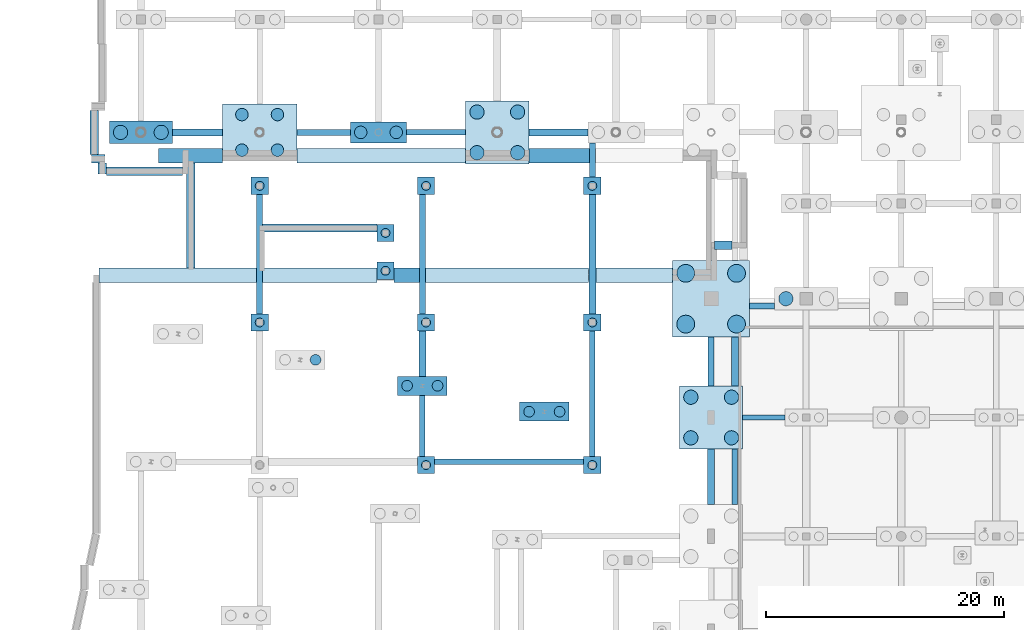
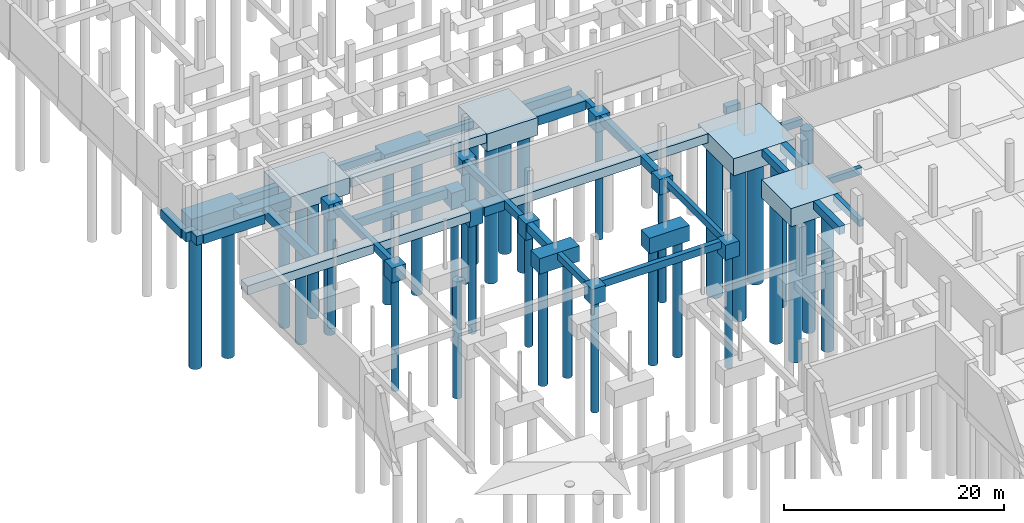
# One storey, part 5 of 65: 51 footings, 36 piles.
"""IFC4 building model written with IfcOpenShell, lengths in metres."""

from ifc_helpers import new_model, si_unit, direction, frame, origin, origin_2d, place, context, subcontext, project, spatial, rectangle, circle, extrude, material, material_profile, profile_set, type_object, element, save


model = new_model("IFC4")

# Units and contexts
model_context = context("Model", 3, precision=1e-05, world=origin(), true_north=direction((0.0, 1.0)))
body_context = subcontext(model_context, "Body", "Model", "MODEL_VIEW")
ifc_project = project(units=[si_unit("LENGTHUNIT", "METRE"), si_unit("AREAUNIT", "SQUARE_METRE"), si_unit("VOLUMEUNIT", "CUBIC_METRE"), si_unit("PLANEANGLEUNIT", "RADIAN"), si_unit("MASSUNIT", "GRAM", prefix="KILO")], contexts=[model_context])

# Site, building, storey
site_placement = place(None, origin())
site = spatial("IfcSite", under=ifc_project, at=site_placement, CompositionType="ELEMENT")
building_placement = place(site_placement, origin())
building = spatial("IfcBuilding", under=site, at=building_placement, Name="Khorjan Park Terminus", CompositionType="ELEMENT")
storey_placement = place(building_placement, frame((0.0, 0.0, -5.4)))
storey = spatial("IfcBuildingStorey", under=building, at=storey_placement, Name="B1", CompositionType="ELEMENT", Elevation=-5.4)

# Footings
ifc_material = material(Name="Concrete C40/50", Category="concrete")
ifc_material_profile_1 = material_profile(ifc_material, rectangle(XDim=0.45, YDim=0.75, at=origin_2d()), Name="RC 450x750")
ifc_profile_set_1 = profile_set([ifc_material_profile_1], Name="Concrete C40/50")
footing_type_1 = type_object("IfcFootingType", Name="FTG-GB-450x750", PredefinedType="FOOTING_BEAM", material=ifc_profile_set_1)
footing_1_placement = place(storey_placement, frame((50.66, 78.0, -0.375), z_axis=(1.0, 0.0, 0.0), x_axis=(0.0, 1.0, 0.0)))
element("IfcFooting", 1, at=footing_1_placement, inside=storey, type_object=footing_type_1, Name="Reinforced concrete ground tie beam FB-07 (68)", PredefinedType="FOOTING_BEAM", context=body_context, shape_type="SweptSolid", body=[
    extrude(rectangle(XDim=0.45, YDim=0.75, at=origin_2d()), origin(), (0.0, 0.0, 1.0), 3.546),
])
footing_2_placement = place(storey_placement, frame((22.372, 102.0, -0.375), z_axis=(1.0, 0.0, 0.0), x_axis=(0.0, 1.0, 0.0)))
element("IfcFooting", 2, at=footing_2_placement, inside=storey, type_object=footing_type_1, Name="Reinforced concrete ground tie beam FB-07 (92)", PredefinedType="FOOTING_BEAM", context=body_context, shape_type="SweptSolid", body=[
    extrude(rectangle(XDim=0.45, YDim=0.75, at=origin_2d()), origin(), (0.0, 0.0, 1.0), 4.968),
])
footing_3_placement = place(storey_placement, frame((23.69, 74.725, -0.375), z_axis=(0.0, 1.0, 0.0), x_axis=(-1.0, 0.0, 0.0)))
element("IfcFooting", 3, at=footing_3_placement, inside=storey, type_object=footing_type_1, Name="Reinforced concrete ground tie beam FB-07 (203)", PredefinedType="FOOTING_BEAM", context=body_context, shape_type="SweptSolid", body=[
    extrude(rectangle(XDim=0.45, YDim=0.75, at=origin_2d()), origin(), (0.0, 0.0, 1.0), 5.147),
])
footing_4_placement = place(storey_placement, frame((38.0, 74.725, -0.375), z_axis=(0.0, 1.0, 0.0), x_axis=(-1.0, 0.0, 0.0)))
element("IfcFooting", 4, at=footing_4_placement, inside=storey, type_object=footing_type_1, Name="Reinforced concrete ground tie beam FB-07 (212)", PredefinedType="FOOTING_BEAM", context=body_context, shape_type="SweptSolid", body=[
    extrude(rectangle(XDim=0.45, YDim=0.75, at=origin_2d()), origin(), (0.0, 0.0, 1.0), 10.55),
])
footing_5_placement = place(storey_placement, frame((50.0, 70.66, -0.375), z_axis=(0.0, 1.0, 0.0), x_axis=(-1.0, 0.0, 0.0)))
element("IfcFooting", 5, at=footing_5_placement, inside=storey, type_object=footing_type_1, Name="Reinforced concrete ground tie beam FB-07 (239)", PredefinedType="FOOTING_BEAM", context=body_context, shape_type="SweptSolid", body=[
    extrude(rectangle(XDim=0.45, YDim=0.75, at=origin_2d()), origin(), (0.0, 0.0, 1.0), 4.68),
])
ifc_material_profile_2 = material_profile(ifc_material, rectangle(XDim=0.5, YDim=0.8, at=origin_2d()), Name="RC 500x800")
ifc_profile_set_2 = profile_set([ifc_material_profile_2], Name="Concrete C40/50")
footing_type_2 = type_object("IfcFootingType", Name="FTG-GB-500x800", PredefinedType="FOOTING_BEAM", material=ifc_profile_set_2)
footing_6_placement = place(storey_placement, frame((24.725, 74.28, -0.4), z_axis=(1.0, 0.0, 0.0), x_axis=(0.0, 1.0, 0.0)))
element("IfcFooting", 6, at=footing_6_placement, inside=storey, type_object=footing_type_2, Name="Reinforced concrete ground tie beam FB-08 (67)", PredefinedType="FOOTING_BEAM", context=body_context, shape_type="SweptSolid", body=[
    extrude(rectangle(XDim=0.5, YDim=0.8, at=origin_2d()), origin(), (0.0, 0.0, 1.0), 12.55),
])
footing_7_placement = place(storey_placement, frame((51.237, 87.4, -0.4), z_axis=(1.0, 0.0, 0.0), x_axis=(0.0, 1.0, 0.0)))
element("IfcFooting", 7, at=footing_7_placement, inside=storey, type_object=footing_type_2, Name="Reinforced concrete ground tie beam FB-08 (76)", PredefinedType="FOOTING_BEAM", context=body_context, shape_type="SweptSolid", body=[
    extrude(rectangle(XDim=0.5, YDim=0.8, at=origin_2d()), origin(), (0.0, 0.0, 1.0), 2.103),
])
footing_8_placement = place(storey_placement, frame((13.13, 102.0, -0.4), z_axis=(1.0, 0.0, 0.0), x_axis=(0.0, 1.0, 0.0)))
element("IfcFooting", 8, at=footing_8_placement, inside=storey, type_object=footing_type_2, Name="Reinforced concrete ground tie beam FB-08 (91)", PredefinedType="FOOTING_BEAM", context=body_context, shape_type="SweptSolid", body=[
    extrude(rectangle(XDim=0.5, YDim=0.8, at=origin_2d()), origin(), (0.0, 0.0, 1.0), 4.498),
])
for number, where, z_axis, x_axis, name in (
    (9, (10.0, 86.725, -0.4), (0.0, 1.0, 0.0), (-1.0, 0.0, 0.0), "Reinforced concrete ground tie beam FB-08 (190)"),
    (10, (23.69, 86.725, -0.4), (0.0, 1.0, 0.0), (-1.0, 0.0, 0.0), "Reinforced concrete ground tie beam FB-08 (205)"),
):
    element("IfcFooting", number, at=place(storey_placement, frame(where, z_axis=z_axis, x_axis=x_axis)), inside=storey, type_object=footing_type_2, Name=name, PredefinedType="FOOTING_BEAM", context=body_context, shape_type="SweptSolid", body=[
        extrude(rectangle(XDim=0.5, YDim=0.8, at=origin_2d()), origin(), (0.0, 0.0, 1.0), 10.05),
    ])
footing_9_placement = place(storey_placement, frame((38.0, 98.225, -0.4), z_axis=(0.0, 1.0, 0.0), x_axis=(-1.0, 0.0, 0.0)))
element("IfcFooting", 11, at=footing_9_placement, inside=storey, type_object=footing_type_2, Name="Reinforced concrete ground tie beam FB-08 (214)", PredefinedType="FOOTING_BEAM", context=body_context, shape_type="SweptSolid", body=[
    extrude(rectangle(XDim=0.5, YDim=0.8, at=origin_2d()), origin(), (0.0, 0.0, 1.0), 2.9),
])
footing_10_placement = place(storey_placement, frame((48.0, 80.66, -0.4), z_axis=(0.0, 1.0, 0.0), x_axis=(-1.0, 0.0, 0.0)))
element("IfcFooting", 12, at=footing_10_placement, inside=storey, type_object=footing_type_2, Name="Reinforced concrete ground tie beam FB-08 (229)", PredefinedType="FOOTING_BEAM", context=body_context, shape_type="SweptSolid", body=[
    extrude(rectangle(XDim=0.5, YDim=0.8, at=origin_2d()), origin(), (0.0, 0.0, 1.0), 4.103),
])
ifc_material_profile_3 = material_profile(ifc_material, rectangle(XDim=0.6, YDim=0.9, at=origin_2d()), Name="RC 600x900")
ifc_profile_set_3 = profile_set([ifc_material_profile_3], Name="Concrete C40/50")
footing_type_3 = type_object("IfcFootingType", Name="FTG-GB-600x900", PredefinedType="FOOTING_BEAM", material=ifc_profile_set_3)
footing_11_placement = place(storey_placement, frame((2.66, 102.0, -0.45), z_axis=(1.0, 0.0, 0.0), x_axis=(0.0, 1.0, 0.0)))
element("IfcFooting", 13, at=footing_11_placement, inside=storey, type_object=footing_type_3, Name="Reinforced concrete ground tie beam FB-09 (90)", PredefinedType="FOOTING_BEAM", context=body_context, shape_type="SweptSolid", body=[
    extrude(rectangle(XDim=0.6, YDim=0.9, at=origin_2d()), origin(), (0.0, 0.0, 1.0), 4.21),
])
footing_12_placement = place(storey_placement, frame((32.66, 102.0, -0.45), z_axis=(1.0, 0.0, 0.0), x_axis=(0.0, 1.0, 0.0)))
element("IfcFooting", 14, at=footing_12_placement, inside=storey, type_object=footing_type_3, Name="Reinforced concrete ground tie beam FB-09 (93)", PredefinedType="FOOTING_BEAM", context=body_context, shape_type="SweptSolid", body=[
    extrude(rectangle(XDim=0.6, YDim=0.9, at=origin_2d()), origin(), (0.0, 0.0, 1.0), 4.969),
])
footing_13_placement = place(storey_placement, frame((23.69, 81.472, -0.45), z_axis=(0.0, 1.0, 0.0), x_axis=(-1.0, 0.0, 0.0)))
element("IfcFooting", 15, at=footing_13_placement, inside=storey, type_object=footing_type_3, Name="Reinforced concrete ground tie beam FB-09 (204)", PredefinedType="FOOTING_BEAM", context=body_context, shape_type="SweptSolid", body=[
    extrude(rectangle(XDim=0.6, YDim=0.9, at=origin_2d()), origin(), (0.0, 0.0, 1.0), 3.803),
])
footing_14_placement = place(storey_placement, frame((38.0, 86.725, -0.45), z_axis=(0.0, 1.0, 0.0), x_axis=(-1.0, 0.0, 0.0)))
element("IfcFooting", 16, at=footing_14_placement, inside=storey, type_object=footing_type_3, Name="Reinforced concrete ground tie beam FB-09 (213)", PredefinedType="FOOTING_BEAM", context=body_context, shape_type="SweptSolid", body=[
    extrude(rectangle(XDim=0.6, YDim=0.9, at=origin_2d()), origin(), (0.0, 0.0, 1.0), 10.05),
])
footing_15_placement = place(storey_placement, frame((48.0, 70.66, -0.45), z_axis=(0.0, 1.0, 0.0), x_axis=(-1.0, 0.0, 0.0)))
element("IfcFooting", 17, at=footing_15_placement, inside=storey, type_object=footing_type_3, Name="Reinforced concrete ground tie beam FB-09 (228)", PredefinedType="FOOTING_BEAM", context=body_context, shape_type="SweptSolid", body=[
    extrude(rectangle(XDim=0.6, YDim=0.9, at=origin_2d()), origin(), (0.0, 0.0, 1.0), 4.68),
])
footing_16_placement = place(storey_placement, frame((50.0, 80.66, -0.45), z_axis=(0.0, 1.0, 0.0), x_axis=(-1.0, 0.0, 0.0)))
element("IfcFooting", 18, at=footing_16_placement, inside=storey, type_object=footing_type_3, Name="Reinforced concrete ground tie beam FB-09 (240)", PredefinedType="FOOTING_BEAM", context=body_context, shape_type="SweptSolid", body=[
    extrude(rectangle(XDim=0.6, YDim=0.9, at=origin_2d()), origin(), (0.0, 0.0, 1.0), 4.103),
])
footing_type_4 = type_object("IfcFootingType", Name="FTG-PC-03", PredefinedType="PILE_CAP", material=ifc_material)
footing_17_placement = place(storey_placement, frame((0.0, 102.0, -1.78), z_axis=(0.0, 0.0, 1.0), x_axis=(1.0, 0.0, 0.0)))
element("IfcFooting", 19, at=footing_17_placement, inside=storey, type_object=footing_type_4, Name="Reinforced concrete pile cap PC-03 (3)", PredefinedType="PILE_CAP", context=body_context, shape_type="SweptSolid", body=[
    extrude(rectangle(XDim=5.32, YDim=1.9, at=origin_2d()), origin(), (0.0, 0.0, 1.0), 1.78),
])
footing_type_5 = type_object("IfcFootingType", Name="FTG-PC-08", PredefinedType="PILE_CAP", material=ifc_material)
footing_18_placement = place(storey_placement, frame((33.9605, 78.489, -1.72), z_axis=(0.0, 0.0, 1.0), x_axis=(1.0, 0.0, 0.0)))
element("IfcFooting", 20, at=footing_18_placement, inside=storey, type_object=footing_type_5, Name="Reinforced concrete pile cap PC-08 (50)", PredefinedType="PILE_CAP", context=body_context, shape_type="SweptSolid", body=[
    extrude(rectangle(XDim=4.165, YDim=1.6, at=origin_2d()), origin(), (0.0, 0.0, 1.0), 1.72),
])
footing_type_6 = type_object("IfcFootingType", Name="FTG-PC-09", PredefinedType="PILE_CAP", material=ifc_material)
footing_19_placement = place(storey_placement, frame((10.0, 102.0, -1.78), z_axis=(0.0, 0.0, 1.0), x_axis=(1.0, 0.0, 0.0)))
element("IfcFooting", 21, at=footing_19_placement, inside=storey, type_object=footing_type_6, Name="Reinforced concrete pile cap PC-09 (12)", PredefinedType="PILE_CAP", context=body_context, shape_type="SweptSolid", body=[
    extrude(rectangle(XDim=6.26, YDim=4.742, at=origin_2d()), origin(), (0.0, 0.0, 1.0), 1.78),
])
footing_type_7 = type_object("IfcFootingType", Name="FTG-PC-14", PredefinedType="PILE_CAP", material=ifc_material)
footing_20_placement = place(storey_placement, frame((23.689, 80.672, -1.72), z_axis=(0.0, 0.0, 1.0), x_axis=(1.0, 0.0, 0.0)))
element("IfcFooting", 22, at=footing_20_placement, inside=storey, type_object=footing_type_7, Name="Reinforced concrete pile cap PC-14 (35)", PredefinedType="PILE_CAP", context=body_context, shape_type="SweptSolid", body=[
    extrude(rectangle(XDim=4.164, YDim=1.6, at=origin_2d()), origin(), (0.0, 0.0, 1.0), 1.72),
])
footing_type_8 = type_object("IfcFootingType", Name="FTG-PC-15", PredefinedType="PILE_CAP", material=ifc_material)
footing_21_placement = place(storey_placement, frame((24.0, 97.5, -1.6), z_axis=(0.0, 0.0, 1.0), x_axis=(1.0, 0.0, 0.0)))
element("IfcFooting", 23, at=footing_21_placement, inside=storey, type_object=footing_type_8, Name="Reinforced concrete pile cap PC-15 (39)", PredefinedType="PILE_CAP", context=body_context, shape_type="SweptSolid", body=[
    extrude(rectangle(XDim=1.45, YDim=1.45, at=origin_2d()), origin(), (0.0, 0.0, 1.0), 1.6),
])
footing_type_9 = type_object("IfcFootingType", Name="FTG-PC-16", PredefinedType="PILE_CAP", material=ifc_material)
for number, where, z_axis, x_axis, name in (
    (24, (10.0, 86.0, -1.66), (0.0, 0.0, 1.0), (1.0, 0.0, 0.0), "Reinforced concrete pile cap PC-16 (20)"),
    (25, (38.0, 74.0, -1.66), (0.0, 0.0, 1.0), (1.0, 0.0, 0.0), "Reinforced concrete pile cap PC-16 (51)"),
):
    element("IfcFooting", number, at=place(storey_placement, frame(where, z_axis=z_axis, x_axis=x_axis)), inside=storey, type_object=footing_type_9, Name=name, PredefinedType="PILE_CAP", context=body_context, shape_type="SweptSolid", body=[
        extrude(rectangle(XDim=1.45, YDim=1.45, at=origin_2d()), origin(), (0.0, 0.0, 1.0), 1.66),
    ])
footing_type_10 = type_object("IfcFootingType", Name="FTG-PC-17", PredefinedType="PILE_CAP", material=ifc_material)
for number, where, z_axis, x_axis, name in (
    (26, (10.0, 97.5, -1.72), (0.0, 0.0, 1.0), (1.0, 0.0, 0.0), "Reinforced concrete pile cap PC-17 (21)"),
    (27, (38.0, 86.0, -1.72), (0.0, 0.0, 1.0), (1.0, 0.0, 0.0), "Reinforced concrete pile cap PC-17 (52)"),
):
    element("IfcFooting", number, at=place(storey_placement, frame(where, z_axis=z_axis, x_axis=x_axis)), inside=storey, type_object=footing_type_10, Name=name, PredefinedType="PILE_CAP", context=body_context, shape_type="SweptSolid", body=[
        extrude(rectangle(XDim=1.45, YDim=1.45, at=origin_2d()), origin(), (0.0, 0.0, 1.0), 1.72),
    ])
footing_type_11 = type_object("IfcFootingType", Name="FTG-PC-19", PredefinedType="PILE_CAP", material=ifc_material)
footing_22_placement = place(storey_placement, frame((20.0, 102.0, -1.84), z_axis=(0.0, 0.0, 1.0), x_axis=(1.0, 0.0, 0.0)))
element("IfcFooting", 28, at=footing_22_placement, inside=storey, type_object=footing_type_11, Name="Reinforced concrete pile cap PC-19 (26)", PredefinedType="PILE_CAP", context=body_context, shape_type="SweptSolid", body=[
    extrude(rectangle(XDim=4.744, YDim=1.75, at=origin_2d()), origin(), (0.0, 0.0, 1.0), 1.84),
])
footing_type_12 = type_object("IfcFootingType", Name="FTG-PC-21", PredefinedType="PILE_CAP", material=ifc_material)
for number, where, z_axis, x_axis, name in (
    (29, (20.59, 90.35, -1.84), (0.0, 0.0, 1.0), (1.0, 0.0, 0.0), "Reinforced concrete pile cap PC-21 (33)"),
    (30, (24.0, 86.0, -1.84), (0.0, 0.0, 1.0), (1.0, 0.0, 0.0), "Reinforced concrete pile cap PC-21 (38)"),
):
    element("IfcFooting", number, at=place(storey_placement, frame(where, z_axis=z_axis, x_axis=x_axis)), inside=storey, type_object=footing_type_12, Name=name, PredefinedType="PILE_CAP", context=body_context, shape_type="SweptSolid", body=[
        extrude(rectangle(XDim=1.45, YDim=1.45, at=origin_2d()), origin(), (0.0, 0.0, 1.0), 1.84),
    ])
footing_type_13 = type_object("IfcFootingType", Name="FTG-PC-22", PredefinedType="PILE_CAP", material=ifc_material)
for number, where, z_axis, x_axis, name in (
    (31, (20.59, 93.54, -1.78), (0.0, 0.0, 1.0), (1.0, 0.0, 0.0), "Reinforced concrete pile cap PC-22 (34)"),
    (32, (24.0, 74.0, -1.78), (0.0, 0.0, 1.0), (1.0, 0.0, 0.0), "Reinforced concrete pile cap PC-22 (37)"),
    (33, (38.0, 97.5, -1.78), (0.0, 0.0, 1.0), (1.0, 0.0, 0.0), "Reinforced concrete pile cap PC-22 (53)"),
):
    element("IfcFooting", number, at=place(storey_placement, frame(where, z_axis=z_axis, x_axis=x_axis)), inside=storey, type_object=footing_type_13, Name=name, PredefinedType="PILE_CAP", context=body_context, shape_type="SweptSolid", body=[
        extrude(rectangle(XDim=1.45, YDim=1.45, at=origin_2d()), origin(), (0.0, 0.0, 1.0), 1.78),
    ])
footing_type_14 = type_object("IfcFootingType", Name="FTG-PC-23", PredefinedType="PILE_CAP", material=ifc_material)
footing_23_placement = place(storey_placement, frame((30.0, 102.0, -1.96), z_axis=(0.0, 0.0, 1.0), x_axis=(1.0, 0.0, 0.0)))
element("IfcFooting", 34, at=footing_23_placement, inside=storey, type_object=footing_type_14, Name="Reinforced concrete pile cap PC-23 (42)", PredefinedType="PILE_CAP", context=body_context, shape_type="SweptSolid", body=[
    extrude(rectangle(XDim=5.32, YDim=5.32, at=origin_2d()), origin(), (0.0, 0.0, 1.0), 1.96),
])
footing_type_15 = type_object("IfcFootingType", Name="FTG-PC-24", PredefinedType="PILE_CAP", material=ifc_material)
footing_24_placement = place(storey_placement, frame((48.0, 78.0, -2.02), z_axis=(0.0, 0.0, 1.0), x_axis=(1.0, 0.0, 0.0)))
element("IfcFooting", 35, at=footing_24_placement, inside=storey, type_object=footing_type_15, Name="Reinforced concrete pile cap PC-24 (71)", PredefinedType="PILE_CAP", context=body_context, shape_type="SweptSolid", body=[
    extrude(rectangle(XDim=5.32, YDim=5.32, at=origin_2d()), origin(), (0.0, 0.0, 1.0), 2.02),
])
footing_type_16 = type_object("IfcFootingType", Name="FTG-PC-28", PredefinedType="PILE_CAP", material=ifc_material)
footing_25_placement = place(storey_placement, frame((48.0, 88.0, -1.9), z_axis=(0.0, 0.0, 1.0), x_axis=(1.0, 0.0, 0.0)))
element("IfcFooting", 36, at=footing_25_placement, inside=storey, type_object=footing_type_16, Name="Reinforced concrete pile cap PC-28 (66)", PredefinedType="PILE_CAP", context=body_context, shape_type="SweptSolid", body=[
    extrude(rectangle(XDim=6.474, YDim=6.474, at=origin_2d()), origin(), (0.0, 0.0, 1.0), 1.9),
])
ifc_material_profile_4 = material_profile(ifc_material, rectangle(XDim=1.2, YDim=1.0, at=origin_2d()), Name="RC 1200x1000")
ifc_profile_set_4 = profile_set([ifc_material_profile_4], Name="Concrete C40/50")
footing_type_17 = type_object("IfcFootingType", Name="FTG-SF-1200x1000", PredefinedType="STRIP_FOOTING", material=ifc_profile_set_4)
footing_26_placement = place(storey_placement, frame((-3.52, 89.98, -0.5), z_axis=(1.0, 0.0, 0.0), x_axis=(0.0, 1.0, 0.0)))
element("IfcFooting", 37, at=footing_26_placement, inside=storey, type_object=footing_type_17, Name="Reinforced concrete wall strip footing SF-12 (9)", PredefinedType="STRIP_FOOTING", context=body_context, shape_type="SweptSolid", body=[
    extrude(rectangle(XDim=1.2, YDim=1.0, at=origin_2d()), origin(), (0.0, 0.0, 1.0), 13.267),
])
footing_27_placement = place(storey_placement, frame((10.253, 89.98, -0.5), z_axis=(1.0, 0.0, 0.0), x_axis=(0.0, 1.0, 0.0)))
element("IfcFooting", 38, at=footing_27_placement, inside=storey, type_object=footing_type_17, Name="Reinforced concrete wall strip footing SF-12 (10)", PredefinedType="STRIP_FOOTING", context=body_context, shape_type="SweptSolid", body=[
    extrude(rectangle(XDim=1.2, YDim=1.0, at=origin_2d()), origin(), (0.0, 0.0, 1.0), 9.609),
])
footing_28_placement = place(storey_placement, frame((21.318, 89.98, -0.5), z_axis=(1.0, 0.0, 0.0), x_axis=(0.0, 1.0, 0.0)))
element("IfcFooting", 39, at=footing_28_placement, inside=storey, type_object=footing_type_17, Name="Reinforced concrete wall strip footing SF-12 (11)", PredefinedType="STRIP_FOOTING", context=body_context, shape_type="SweptSolid", body=[
    extrude(rectangle(XDim=1.2, YDim=1.0, at=origin_2d()), origin(), (0.0, 0.0, 1.0), 2.119),
])
footing_29_placement = place(storey_placement, frame((23.943, 89.98, -0.5), z_axis=(1.0, 0.0, 0.0), x_axis=(0.0, 1.0, 0.0)))
element("IfcFooting", 40, at=footing_29_placement, inside=storey, type_object=footing_type_17, Name="Reinforced concrete wall strip footing SF-12 (12)", PredefinedType="STRIP_FOOTING", context=body_context, shape_type="SweptSolid", body=[
    extrude(rectangle(XDim=1.2, YDim=1.0, at=origin_2d()), origin(), (0.0, 0.0, 1.0), 13.754),
])
footing_30_placement = place(storey_placement, frame((38.303, 89.98, -0.5), z_axis=(1.0, 0.0, 0.0), x_axis=(0.0, 1.0, 0.0)))
element("IfcFooting", 41, at=footing_30_placement, inside=storey, type_object=footing_type_17, Name="Reinforced concrete wall strip footing SF-12 (13)", PredefinedType="STRIP_FOOTING", context=body_context, shape_type="SweptSolid", body=[
    extrude(rectangle(XDim=1.2, YDim=1.0, at=origin_2d()), origin(), (0.0, 0.0, 1.0), 6.457),
])
footing_31_placement = place(storey_placement, frame((1.5, 100.04, -0.5), z_axis=(1.0, 0.0, 0.0), x_axis=(0.0, 1.0, 0.0)))
element("IfcFooting", 42, at=footing_31_placement, inside=storey, type_object=footing_type_17, Name="Reinforced concrete wall strip footing SF-12 (14)", PredefinedType="STRIP_FOOTING", context=body_context, shape_type="SweptSolid", body=[
    extrude(rectangle(XDim=1.2, YDim=1.0, at=origin_2d()), origin(), (0.0, 0.0, 1.0), 5.367),
])
footing_32_placement = place(storey_placement, frame((13.133, 100.04, -0.5), z_axis=(1.0, 0.0, 0.0), x_axis=(0.0, 1.0, 0.0)))
element("IfcFooting", 43, at=footing_32_placement, inside=storey, type_object=footing_type_17, Name="Reinforced concrete wall strip footing SF-12 (15)", PredefinedType="STRIP_FOOTING", context=body_context, shape_type="SweptSolid", body=[
    extrude(rectangle(XDim=1.2, YDim=1.0, at=origin_2d()), origin(), (0.0, 0.0, 1.0), 14.204),
])
footing_33_placement = place(storey_placement, frame((32.663, 100.04, -0.5), z_axis=(1.0, 0.0, 0.0), x_axis=(0.0, 1.0, 0.0)))
element("IfcFooting", 44, at=footing_33_placement, inside=storey, type_object=footing_type_17, Name="Reinforced concrete wall strip footing SF-12 (16)", PredefinedType="STRIP_FOOTING", context=body_context, shape_type="SweptSolid", body=[
    extrude(rectangle(XDim=1.2, YDim=1.0, at=origin_2d()), origin(), (0.0, 0.0, 1.0), 5.084),
])
ifc_material_profile_5 = material_profile(ifc_material, rectangle(XDim=0.7, YDim=1.0, at=origin_2d()), Name="RC 700x1000")
ifc_profile_set_5 = profile_set([ifc_material_profile_5], Name="Concrete C40/50")
footing_type_18 = type_object("IfcFootingType", Name="FTG-SF-700x1000", PredefinedType="STRIP_FOOTING", material=ifc_profile_set_5)
footing_34_placement = place(storey_placement, frame((4.21, 90.583, -0.5), z_axis=(0.0, 1.0, 0.0), x_axis=(-1.0, 0.0, 0.0)))
element("IfcFooting", 45, at=footing_34_placement, inside=storey, type_object=footing_type_18, Name="Reinforced concrete wall strip footing SF-07 (22)", PredefinedType="STRIP_FOOTING", context=body_context, shape_type="SweptSolid", body=[
    extrude(rectangle(XDim=0.7, YDim=1.0, at=origin_2d()), origin(), (0.0, 0.0, 1.0), 8.854),
])
footing_35_placement = place(storey_placement, frame((-4.16, 99.79, -0.5), z_axis=(1.0, 0.0, 0.0), x_axis=(0.0, 1.0, 0.0)))
element("IfcFooting", 46, at=footing_35_placement, inside=storey, type_object=footing_type_18, Name="Reinforced concrete wall strip footing SF-07 (29)", PredefinedType="STRIP_FOOTING", context=body_context, shape_type="SweptSolid", body=[
    extrude(rectangle(XDim=0.7, YDim=1.0, at=origin_2d()), origin(), (0.0, 0.0, 1.0), 1.14),
])
footing_36_placement = place(storey_placement, frame((-3.26, 98.5, -0.5), z_axis=(0.0, 1.0, 0.0), x_axis=(-1.0, 0.0, 0.0)))
element("IfcFooting", 47, at=footing_36_placement, inside=storey, type_object=footing_type_18, Name="Reinforced concrete wall strip footing SF-07 (34)", PredefinedType="STRIP_FOOTING", context=body_context, shape_type="SweptSolid", body=[
    extrude(rectangle(XDim=0.7, YDim=1.0, at=origin_2d()), origin(), (0.0, 0.0, 1.0), 0.937),
])
footing_37_placement = place(storey_placement, frame((10.253, 93.95, -0.5), z_axis=(1.0, 0.0, 0.0), x_axis=(0.0, 1.0, 0.0)))
element("IfcFooting", 48, at=footing_37_placement, inside=storey, type_object=footing_type_18, Name="Reinforced concrete wall strip footing SF-07 (61)", PredefinedType="STRIP_FOOTING", context=body_context, shape_type="SweptSolid", body=[
    extrude(rectangle(XDim=0.7, YDim=1.0, at=origin_2d()), origin(), (0.0, 0.0, 1.0), 9.609),
])
footing_38_placement = place(storey_placement, frame((3.5, 98.74, -0.5), z_axis=(-1.0, 0.0, 0.0), x_axis=(0.0, -1.0, 0.0)))
element("IfcFooting", 49, at=footing_38_placement, inside=storey, type_object=footing_type_18, Name="Reinforced concrete wall strip footing SF-07 (79)", PredefinedType="STRIP_FOOTING", context=body_context, shape_type="SweptSolid", body=[
    extrude(rectangle(XDim=0.7, YDim=1.0, at=origin_2d()), origin(), (0.0, 0.0, 1.0), 6.407),
])
footing_39_placement = place(storey_placement, frame((-3.92, 100.143, -0.5), z_axis=(0.0, 1.0, 0.0), x_axis=(-1.0, 0.0, 0.0)))
element("IfcFooting", 50, at=footing_39_placement, inside=storey, type_object=footing_type_18, Name="Reinforced concrete wall strip footing SF-07 (87)", PredefinedType="STRIP_FOOTING", context=body_context, shape_type="SweptSolid", body=[
    extrude(rectangle(XDim=0.7, YDim=1.0, at=origin_2d()), origin(), (0.0, 0.0, 1.0), 3.714),
])
footing_40_placement = place(storey_placement, frame((48.303, 92.497, -0.5), z_axis=(1.0, 0.0, 0.0), x_axis=(0.0, 1.0, 0.0)))
element("IfcFooting", 51, at=footing_40_placement, inside=storey, type_object=footing_type_18, Name="Reinforced concrete wall strip footing SF-07 (91)", PredefinedType="STRIP_FOOTING", context=body_context, shape_type="SweptSolid", body=[
    extrude(rectangle(XDim=0.7, YDim=1.0, at=origin_2d()), origin(), (0.0, 0.0, 1.0), 1.444),
])

# Piles
ifc_material_profile_6 = material_profile(ifc_material, circle(Radius=0.525, at=origin_2d()), Name="BORED D1050")
ifc_profile_set_6 = profile_set([ifc_material_profile_6], Name="Concrete C40/50")
pile_type_1 = type_object("IfcPileType", Name="PL-D1050", PredefinedType="BORED", material=ifc_profile_set_6)
for number, where, z_axis, x_axis, name in (
    (52, (8.5035, 100.5035, -1.68), (0.0, 0.0, -1.0), (1.0, 0.0, 0.0), "Bored rock-socketed pile PL-105 (35)"),
    (53, (8.5035, 103.4965, -1.68), (0.0, 0.0, -1.0), (1.0, 0.0, 0.0), "Bored rock-socketed pile PL-105 (36)"),
    (54, (11.4965, 100.5035, -1.68), (0.0, 0.0, -1.0), (1.0, 0.0, 0.0), "Bored rock-socketed pile PL-105 (37)"),
    (55, (11.4965, 103.4965, -1.68), (0.0, 0.0, -1.0), (1.0, 0.0, 0.0), "Bored rock-socketed pile PL-105 (38)"),
):
    element("IfcPile", number, at=place(storey_placement, frame(where, z_axis=z_axis, x_axis=x_axis)), inside=storey, type_object=pile_type_1, Name=name, PredefinedType="BORED", context=body_context, shape_type="SweptSolid", body=[
        extrude(circle(Radius=0.525, at=origin_2d()), origin(), (0.0, 0.0, 1.0), 15.42),
    ])
for number, where, z_axis, x_axis, name in (
    (56, (18.5035, 102.0, -1.74), (0.0, 0.0, -1.0), (1.0, 0.0, 0.0), "Bored rock-socketed pile PL-105 (64)"),
    (57, (21.4965, 102.0, -1.74), (0.0, 0.0, -1.0), (1.0, 0.0, 0.0), "Bored rock-socketed pile PL-105 (65)"),
):
    element("IfcPile", number, at=place(storey_placement, frame(where, z_axis=z_axis, x_axis=x_axis)), inside=storey, type_object=pile_type_1, Name=name, PredefinedType="BORED", context=body_context, shape_type="SweptSolid", body=[
        extrude(circle(Radius=0.525, at=origin_2d()), origin(), (0.0, 0.0, 1.0), 15.36),
    ])
ifc_material_profile_7 = material_profile(ifc_material, circle(Radius=0.6, at=origin_2d()), Name="BORED D1200")
ifc_profile_set_7 = profile_set([ifc_material_profile_7], Name="Concrete C40/50")
pile_type_2 = type_object("IfcPileType", Name="PL-D1200", PredefinedType="BORED", material=ifc_profile_set_7)
for number, where, z_axis, x_axis, name in (
    (58, (-1.71, 102.0, -1.68), (0.0, 0.0, -1.0), (1.0, 0.0, 0.0), "Bored rock-socketed pile PL-120 (17)"),
    (59, (1.71, 102.0, -1.68), (0.0, 0.0, -1.0), (1.0, 0.0, 0.0), "Bored rock-socketed pile PL-120 (18)"),
):
    element("IfcPile", number, at=place(storey_placement, frame(where, z_axis=z_axis, x_axis=x_axis)), inside=storey, type_object=pile_type_2, Name=name, PredefinedType="BORED", context=body_context, shape_type="SweptSolid", body=[
        extrude(circle(Radius=0.6, at=origin_2d()), origin(), (0.0, 0.0, 1.0), 15.42),
    ])
for number, where, z_axis, x_axis, name in (
    (60, (28.29, 100.29, -1.86), (0.0, 0.0, -1.0), (1.0, 0.0, 0.0), "Bored rock-socketed pile PL-120 (91)"),
    (61, (28.29, 103.71, -1.86), (0.0, 0.0, -1.0), (1.0, 0.0, 0.0), "Bored rock-socketed pile PL-120 (92)"),
    (62, (31.71, 100.29, -1.86), (0.0, 0.0, -1.0), (1.0, 0.0, 0.0), "Bored rock-socketed pile PL-120 (93)"),
    (63, (31.71, 103.71, -1.86), (0.0, 0.0, -1.0), (1.0, 0.0, 0.0), "Bored rock-socketed pile PL-120 (94)"),
):
    element("IfcPile", number, at=place(storey_placement, frame(where, z_axis=z_axis, x_axis=x_axis)), inside=storey, type_object=pile_type_2, Name=name, PredefinedType="BORED", context=body_context, shape_type="SweptSolid", body=[
        extrude(circle(Radius=0.6, at=origin_2d()), origin(), (0.0, 0.0, 1.0), 15.24),
    ])
for number, where, z_axis, x_axis, name in (
    (64, (46.29, 76.29, -1.92), (0.0, 0.0, -1.0), (1.0, 0.0, 0.0), "Bored rock-socketed pile PL-120 (176)"),
    (65, (46.29, 79.71, -1.92), (0.0, 0.0, -1.0), (1.0, 0.0, 0.0), "Bored rock-socketed pile PL-120 (177)"),
    (66, (49.71, 76.29, -1.92), (0.0, 0.0, -1.0), (1.0, 0.0, 0.0), "Bored rock-socketed pile PL-120 (178)"),
    (67, (49.71, 79.71, -1.92), (0.0, 0.0, -1.0), (1.0, 0.0, 0.0), "Bored rock-socketed pile PL-120 (179)"),
):
    element("IfcPile", number, at=place(storey_placement, frame(where, z_axis=z_axis, x_axis=x_axis)), inside=storey, type_object=pile_type_2, Name=name, PredefinedType="BORED", context=body_context, shape_type="SweptSolid", body=[
        extrude(circle(Radius=0.6, at=origin_2d()), origin(), (0.0, 0.0, 1.0), 15.68),
    ])
pile_1_placement = place(storey_placement, frame((54.29, 88.0, -1.8), z_axis=(0.0, 0.0, -1.0), x_axis=(1.0, 0.0, 0.0)))
element("IfcPile", 68, at=pile_1_placement, inside=storey, type_object=pile_type_2, Name="Bored rock-socketed pile PL-120 (204)", PredefinedType="BORED", context=body_context, shape_type="SweptSolid", body=[
    extrude(circle(Radius=0.6, at=origin_2d()), origin(), (0.0, 0.0, 1.0), 15.8),
])
ifc_material_profile_8 = material_profile(ifc_material, circle(Radius=0.75, at=origin_2d()), Name="BORED D1500")
ifc_profile_set_8 = profile_set([ifc_material_profile_8], Name="Concrete C40/50")
pile_type_3 = type_object("IfcPileType", Name="PL-D1500", PredefinedType="BORED", material=ifc_profile_set_8)
for number, where, z_axis, x_axis, name in (
    (69, (45.8625, 85.8625, -1.8), (0.0, 0.0, -1.0), (1.0, 0.0, 0.0), "Bored rock-socketed pile PL-150 (159)"),
    (70, (45.8625, 90.1375, -1.8), (0.0, 0.0, -1.0), (1.0, 0.0, 0.0), "Bored rock-socketed pile PL-150 (160)"),
    (71, (50.1375, 85.8625, -1.8), (0.0, 0.0, -1.0), (1.0, 0.0, 0.0), "Bored rock-socketed pile PL-150 (161)"),
    (72, (50.1375, 90.1375, -1.8), (0.0, 0.0, -1.0), (1.0, 0.0, 0.0), "Bored rock-socketed pile PL-150 (162)"),
):
    element("IfcPile", number, at=place(storey_placement, frame(where, z_axis=z_axis, x_axis=x_axis)), inside=storey, type_object=pile_type_3, Name=name, PredefinedType="BORED", context=body_context, shape_type="SweptSolid", body=[
        extrude(circle(Radius=0.75, at=origin_2d()), origin(), (0.0, 0.0, 1.0), 16.8),
    ])
ifc_material_profile_9 = material_profile(ifc_material, circle(Radius=0.375, at=origin_2d()), Name="BORED D750")
ifc_profile_set_9 = profile_set([ifc_material_profile_9], Name="Concrete C40/50")
pile_type_4 = type_object("IfcPileType", Name="PL-D750", PredefinedType="BORED", material=ifc_profile_set_9)
pile_2_placement = place(storey_placement, frame((10.0, 86.0, -1.56), z_axis=(0.0, 0.0, -1.0), x_axis=(1.0, 0.0, 0.0)))
element("IfcPile", 73, at=pile_2_placement, inside=storey, type_object=pile_type_4, Name="Bored rock-socketed pile PL-75 (54)", PredefinedType="BORED", context=body_context, shape_type="SweptSolid", body=[
    extrude(circle(Radius=0.375, at=origin_2d()), origin(), (0.0, 0.0, 1.0), 12.54),
])
pile_3_placement = place(storey_placement, frame((10.0, 97.5, -1.62), z_axis=(0.0, 0.0, -1.0), x_axis=(1.0, 0.0, 0.0)))
element("IfcPile", 74, at=pile_3_placement, inside=storey, type_object=pile_type_4, Name="Bored rock-socketed pile PL-75 (55)", PredefinedType="BORED", context=body_context, shape_type="SweptSolid", body=[
    extrude(circle(Radius=0.375, at=origin_2d()), origin(), (0.0, 0.0, 1.0), 12.48),
])
pile_4_placement = place(storey_placement, frame((20.59, 90.35, -1.74), z_axis=(0.0, 0.0, -1.0), x_axis=(1.0, 0.0, 0.0)))
element("IfcPile", 75, at=pile_4_placement, inside=storey, type_object=pile_type_4, Name="Bored rock-socketed pile PL-75 (78)", PredefinedType="BORED", context=body_context, shape_type="SweptSolid", body=[
    extrude(circle(Radius=0.375, at=origin_2d()), origin(), (0.0, 0.0, 1.0), 12.36),
])
for number, where, z_axis, x_axis, name in (
    (76, (20.59, 93.54, -1.68), (0.0, 0.0, -1.0), (1.0, 0.0, 0.0), "Bored rock-socketed pile PL-75 (79)"),
    (77, (24.0, 74.0, -1.68), (0.0, 0.0, -1.0), (1.0, 0.0, 0.0), "Bored rock-socketed pile PL-75 (84)"),
):
    element("IfcPile", number, at=place(storey_placement, frame(where, z_axis=z_axis, x_axis=x_axis)), inside=storey, type_object=pile_type_4, Name=name, PredefinedType="BORED", context=body_context, shape_type="SweptSolid", body=[
        extrude(circle(Radius=0.375, at=origin_2d()), origin(), (0.0, 0.0, 1.0), 12.42),
    ])
pile_5_placement = place(storey_placement, frame((24.0, 86.0, -1.74), z_axis=(0.0, 0.0, -1.0), x_axis=(1.0, 0.0, 0.0)))
element("IfcPile", 78, at=pile_5_placement, inside=storey, type_object=pile_type_4, Name="Bored rock-socketed pile PL-75 (85)", PredefinedType="BORED", context=body_context, shape_type="SweptSolid", body=[
    extrude(circle(Radius=0.375, at=origin_2d()), origin(), (0.0, 0.0, 1.0), 12.36),
])
pile_6_placement = place(storey_placement, frame((24.0, 97.5, -1.5), z_axis=(0.0, 0.0, -1.0), x_axis=(1.0, 0.0, 0.0)))
element("IfcPile", 79, at=pile_6_placement, inside=storey, type_object=pile_type_4, Name="Bored rock-socketed pile PL-75 (86)", PredefinedType="BORED", context=body_context, shape_type="SweptSolid", body=[
    extrude(circle(Radius=0.375, at=origin_2d()), origin(), (0.0, 0.0, 1.0), 12.6),
])
pile_7_placement = place(storey_placement, frame((38.0, 74.0, -1.56), z_axis=(0.0, 0.0, -1.0), x_axis=(1.0, 0.0, 0.0)))
element("IfcPile", 80, at=pile_7_placement, inside=storey, type_object=pile_type_4, Name="Bored rock-socketed pile PL-75 (113)", PredefinedType="BORED", context=body_context, shape_type="SweptSolid", body=[
    extrude(circle(Radius=0.375, at=origin_2d()), origin(), (0.0, 0.0, 1.0), 12.54),
])
pile_8_placement = place(storey_placement, frame((38.0, 86.0, -1.62), z_axis=(0.0, 0.0, -1.0), x_axis=(1.0, 0.0, 0.0)))
element("IfcPile", 81, at=pile_8_placement, inside=storey, type_object=pile_type_4, Name="Bored rock-socketed pile PL-75 (114)", PredefinedType="BORED", context=body_context, shape_type="SweptSolid", body=[
    extrude(circle(Radius=0.375, at=origin_2d()), origin(), (0.0, 0.0, 1.0), 12.48),
])
pile_9_placement = place(storey_placement, frame((38.0, 97.5, -1.68), z_axis=(0.0, 0.0, -1.0), x_axis=(1.0, 0.0, 0.0)))
element("IfcPile", 82, at=pile_9_placement, inside=storey, type_object=pile_type_4, Name="Bored rock-socketed pile PL-75 (115)", PredefinedType="BORED", context=body_context, shape_type="SweptSolid", body=[
    extrude(circle(Radius=0.375, at=origin_2d()), origin(), (0.0, 0.0, 1.0), 12.42),
])
ifc_material_profile_10 = material_profile(ifc_material, circle(Radius=0.45, at=origin_2d()), Name="BORED D900")
ifc_profile_set_10 = profile_set([ifc_material_profile_10], Name="Concrete C40/50")
pile_type_5 = type_object("IfcPileType", Name="PL-D900", PredefinedType="BORED", material=ifc_profile_set_10)
for number, where, z_axis, x_axis, name in (
    (83, (14.7015, 82.855, -1.62), (0.0, 0.0, -1.0), (1.0, 0.0, 0.0), "Bored rock-socketed pile PL-90 (57)"),
    (84, (22.4065, 80.672, -1.62), (0.0, 0.0, -1.0), (1.0, 0.0, 0.0), "Bored rock-socketed pile PL-90 (80)"),
    (85, (24.9715, 80.672, -1.62), (0.0, 0.0, -1.0), (1.0, 0.0, 0.0), "Bored rock-socketed pile PL-90 (81)"),
    (86, (32.6775, 78.489, -1.62), (0.0, 0.0, -1.0), (1.0, 0.0, 0.0), "Bored rock-socketed pile PL-90 (111)"),
    (87, (35.2425, 78.489, -1.62), (0.0, 0.0, -1.0), (1.0, 0.0, 0.0), "Bored rock-socketed pile PL-90 (112)"),
):
    element("IfcPile", number, at=place(storey_placement, frame(where, z_axis=z_axis, x_axis=x_axis)), inside=storey, type_object=pile_type_5, Name=name, PredefinedType="BORED", context=body_context, shape_type="SweptSolid", body=[
        extrude(circle(Radius=0.45, at=origin_2d()), origin(), (0.0, 0.0, 1.0), 12.98),
    ])

save(model, "model.ifc")
